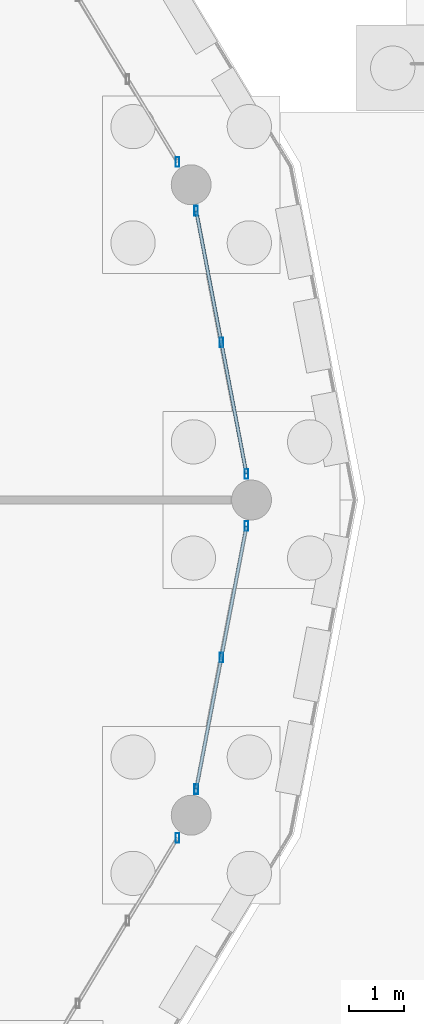
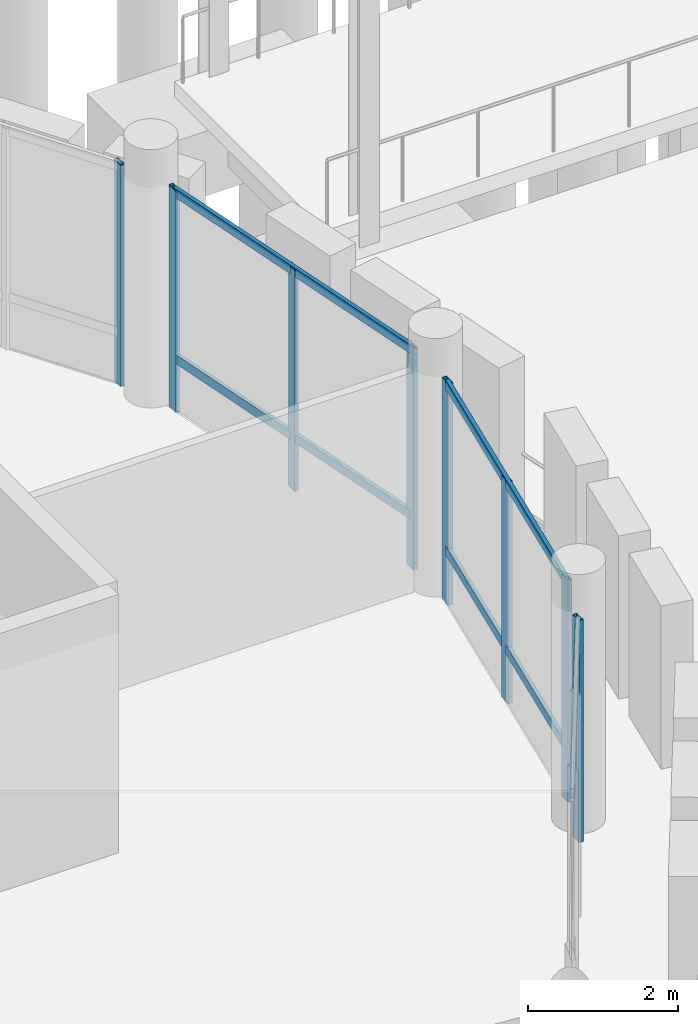
# One storey, part 49 of 98: 12 members, 4 elements without a shape of their own.
"""IFC4 building model written with IfcOpenShell, lengths in metres."""

from ifc_helpers import new_model, si_unit, direction, frame, origin, origin_2d, place, context, subcontext, project, spatial, hollow_rectangle, extrude, material, material_profile, profile_set, type_object, element, aggregate, save


model = new_model("IFC4")

# Units and contexts
model_context = context("Model", 3, precision=1e-05, world=origin(), true_north=direction((0.0, 1.0)))
body_context = subcontext(model_context, "Body", "Model", "MODEL_VIEW")
ifc_project = project(units=[si_unit("LENGTHUNIT", "METRE"), si_unit("AREAUNIT", "SQUARE_METRE"), si_unit("VOLUMEUNIT", "CUBIC_METRE"), si_unit("PLANEANGLEUNIT", "RADIAN"), si_unit("MASSUNIT", "GRAM", prefix="KILO")], contexts=[model_context])

# Site, building, storey
site_placement = place(None, origin())
site = spatial("IfcSite", under=ifc_project, at=site_placement, CompositionType="ELEMENT")
building_placement = place(site_placement, origin())
building = spatial("IfcBuilding", under=site, at=building_placement, Name="Zornivar Specialist Clinic", CompositionType="ELEMENT")
storey_placement = place(building_placement, origin())
storey = spatial("IfcBuildingStorey", under=building, at=storey_placement, Name="L00", CompositionType="ELEMENT", Elevation=0.0)

# Curtain wall, members
ifc_material_1 = material(Name="Aluminium and Low-E Glass Curtain Wall", Category="aluminium")
curtain_wall_type = type_object("IfcCurtainWallType", Name="CW-DRUM-FACET", PredefinedType="NOTDEFINED", material=ifc_material_1)
curtain_wall_1_placement = place(storey_placement, origin())
curtain_wall_1 = element("IfcCurtainWall", 1, at=curtain_wall_1_placement, inside=storey, type_object=curtain_wall_type, Name="cw:V1:L00:c00", PredefinedType="NOTDEFINED")
ifc_material_2 = material(Name="Aluminium AW-6060", Category="aluminium")
ifc_material_profile_1 = material_profile(ifc_material_2, hollow_rectangle(XDim=0.06494140625, YDim=0.175048828125, WallThickness=0.00439453125, at=origin_2d()), Name="ALU 65x175x4.5")
ifc_profile_set_1 = profile_set([ifc_material_profile_1], Name="Aluminium AW-6060")
member_type_1 = type_object("IfcMemberType", Name="CWM-MUL-175", PredefinedType="MULLION", material=ifc_profile_set_1)
member_1_placement = place(storey_placement, frame((125.509033203125, 58.071044921875, 0.0), z_axis=(0.0, 0.0, 1.0), x_axis=(1.0, 0.0, 0.0)))
member_1 = element("IfcMember", 2, at=member_1_placement, type_object=member_type_1, Name="cw:V1:L00:c00:mul:0", PredefinedType="MULLION", context=body_context, shape_type="SweptSolid", body=[
    extrude(hollow_rectangle(XDim=0.06494140625, YDim=0.175048828125, WallThickness=0.00439453125, at=origin_2d()), origin(), (0.0, 0.0, 1.0), 3.610107421875),
])
member_2_placement = place(storey_placement, frame((125.054931640625, 60.447021484375, 0.0), z_axis=(0.0, 0.0, 1.0), x_axis=(1.0, 0.0, 0.0)))
member_2 = element("IfcMember", 3, at=member_2_placement, type_object=member_type_1, Name="cw:V1:L00:c00:mul:1", PredefinedType="MULLION", context=body_context, shape_type="SweptSolid", body=[
    extrude(hollow_rectangle(XDim=0.06494140625, YDim=0.175048828125, WallThickness=0.00439453125, at=origin_2d()), origin(), (0.0, 0.0, 1.0), 3.610107421875),
])
member_3_placement = place(storey_placement, frame((124.60009765625, 62.822998046875, 0.0), z_axis=(0.0, 0.0, 1.0), x_axis=(1.0, 0.0, 0.0)))
member_3 = element("IfcMember", 4, at=member_3_placement, type_object=member_type_1, Name="cw:V1:L00:c00:mul:2", PredefinedType="MULLION", context=body_context, shape_type="SweptSolid", body=[
    extrude(hollow_rectangle(XDim=0.06494140625, YDim=0.175048828125, WallThickness=0.00439453125, at=origin_2d()), origin(), (0.0, 0.0, 1.0), 3.610107421875),
])

# Curtain wall, member
curtain_wall_2_placement = place(storey_placement, origin())
curtain_wall_2 = element("IfcCurtainWall", 5, at=curtain_wall_2_placement, inside=storey, type_object=curtain_wall_type, Name="cw:V1:L00:c01", PredefinedType="NOTDEFINED")
member_4_placement = place(storey_placement, frame((124.261962890625, 63.705078125, 0.0), z_axis=(0.0, 0.0, 1.0), x_axis=(1.0, 0.0, 0.0)))
member_4 = element("IfcMember", 6, at=member_4_placement, type_object=member_type_1, Name="cw:V1:L00:c01:mul:0", PredefinedType="MULLION", context=body_context, shape_type="SweptSolid", body=[
    extrude(hollow_rectangle(XDim=0.06494140625, YDim=0.175048828125, WallThickness=0.00439453125, at=origin_2d()), origin(), (0.0, 0.0, 1.0), 3.610107421875),
])
aggregate(curtain_wall_2, [member_4])

curtain_wall_3_placement = place(storey_placement, origin())
curtain_wall_3 = element("IfcCurtainWall", 7, at=curtain_wall_3_placement, inside=storey, type_object=curtain_wall_type, Name="cw:V1:L00:c22", PredefinedType="NOTDEFINED")
member_5_placement = place(storey_placement, frame((124.261962890625, 51.4951171875, 0.0), z_axis=(0.0, 0.0, 1.0), x_axis=(1.0, 0.0, 0.0)))
member_5 = element("IfcMember", 8, at=member_5_placement, type_object=member_type_1, Name="cw:V1:L00:c22:mul:3", PredefinedType="MULLION", context=body_context, shape_type="SweptSolid", body=[
    extrude(hollow_rectangle(XDim=0.06494140625, YDim=0.175048828125, WallThickness=0.00439453125, at=origin_2d()), origin(), (0.0, 0.0, 1.0), 3.610107421875),
])
aggregate(curtain_wall_3, [member_5])

# Curtain wall, members
curtain_wall_4_placement = place(storey_placement, origin())
curtain_wall_4 = element("IfcCurtainWall", 9, at=curtain_wall_4_placement, inside=storey, type_object=curtain_wall_type, Name="cw:V1:L00:c23", PredefinedType="NOTDEFINED")
member_6_placement = place(storey_placement, frame((124.60107421875, 52.376953125, 0.0), z_axis=(0.0, 0.0, 1.0), x_axis=(1.0, 0.0, 0.0)))
member_6 = element("IfcMember", 10, at=member_6_placement, type_object=member_type_1, Name="cw:V1:L00:c23:mul:0", PredefinedType="MULLION", context=body_context, shape_type="SweptSolid", body=[
    extrude(hollow_rectangle(XDim=0.06494140625, YDim=0.175048828125, WallThickness=0.00439453125, at=origin_2d()), origin(), (0.0, 0.0, 1.0), 3.610107421875),
])
member_7_placement = place(storey_placement, frame((125.054931640625, 54.7529296875, 0.0), z_axis=(0.0, 0.0, 1.0), x_axis=(1.0, 0.0, 0.0)))
member_7 = element("IfcMember", 11, at=member_7_placement, type_object=member_type_1, Name="cw:V1:L00:c23:mul:1", PredefinedType="MULLION", context=body_context, shape_type="SweptSolid", body=[
    extrude(hollow_rectangle(XDim=0.06494140625, YDim=0.175048828125, WallThickness=0.00439453125, at=origin_2d()), origin(), (0.0, 0.0, 1.0), 3.610107421875),
])
member_8_placement = place(storey_placement, frame((125.510009765625, 57.12890625, 0.0), z_axis=(0.0, 0.0, 1.0), x_axis=(1.0, 0.0, 0.0)))
member_8 = element("IfcMember", 12, at=member_8_placement, type_object=member_type_1, Name="cw:V1:L00:c23:mul:2", PredefinedType="MULLION", context=body_context, shape_type="SweptSolid", body=[
    extrude(hollow_rectangle(XDim=0.06494140625, YDim=0.175048828125, WallThickness=0.00439453125, at=origin_2d()), origin(), (0.0, 0.0, 1.0), 3.610107421875),
])

# Member
ifc_material_3 = material(Name="Aluminium AW-6060", Category="aluminium")
ifc_material_profile_2 = material_profile(ifc_material_3, hollow_rectangle(XDim=0.06005859375, YDim=0.14501953125, WallThickness=0.00390625, at=origin_2d()), Name="ALU 60x145x4")
ifc_profile_set_2 = profile_set([ifc_material_profile_2], Name="Aluminium AW-6060")
member_type_2 = type_object("IfcMemberType", Name="CWM-TRN-145", PredefinedType="USERDEFINED", material=ifc_profile_set_2)
member_9_placement = place(storey_placement, frame((125.509033203125, 58.071044921875, 0.85009765625), z_axis=(-0.18767557324, 0.982231072207, 0.0), x_axis=(-0.982231072207, -0.18767557324, 0.0)))
member_9 = element("IfcMember", 13, at=member_9_placement, type_object=member_type_2, Name="cw:V1:L00:c00:trn:0", ObjectType="TRANSOM", PredefinedType="USERDEFINED", context=body_context, shape_type="SweptSolid", body=[
    extrude(hollow_rectangle(XDim=0.06005859375, YDim=0.14501953125, WallThickness=0.00390625, at=origin_2d()), origin(), (0.0, 0.0, 1.0), 4.837890625),
])

member_10_placement = place(storey_placement, frame((125.509033203125, 58.071044921875, 3.544921875), z_axis=(-0.18767557324, 0.982231072207, 0.0), x_axis=(-0.982231072207, -0.18767557324, 0.0)))
member_10 = element("IfcMember", 14, at=member_10_placement, type_object=member_type_2, Name="cw:V1:L00:c00:trn:1", ObjectType="TRANSOM", PredefinedType="USERDEFINED", context=body_context, shape_type="SweptSolid", body=[
    extrude(hollow_rectangle(XDim=0.06005859375, YDim=0.14501953125, WallThickness=0.00390625, at=origin_2d()), origin(), (0.0, 0.0, 1.0), 4.837890625),
])

aggregate(curtain_wall_1, [member_1, member_2, member_3, member_9, member_10])

member_11_placement = place(storey_placement, frame((124.60107421875, 52.376953125, 0.85009765625), z_axis=(0.18767557324, 0.982231072207, 0.0), x_axis=(-0.982231072207, 0.18767557324, 0.0)))
member_11 = element("IfcMember", 15, at=member_11_placement, type_object=member_type_2, Name="cw:V1:L00:c23:trn:0", ObjectType="TRANSOM", PredefinedType="USERDEFINED", context=body_context, shape_type="SweptSolid", body=[
    extrude(hollow_rectangle(XDim=0.06005859375, YDim=0.14501953125, WallThickness=0.00390625, at=origin_2d()), origin(), (0.0, 0.0, 1.0), 4.837890625),
])

member_12_placement = place(storey_placement, frame((124.60107421875, 52.376953125, 3.544921875), z_axis=(0.18767557324, 0.982231072207, 0.0), x_axis=(-0.982231072207, 0.18767557324, 0.0)))
member_12 = element("IfcMember", 16, at=member_12_placement, type_object=member_type_2, Name="cw:V1:L00:c23:trn:1", ObjectType="TRANSOM", PredefinedType="USERDEFINED", context=body_context, shape_type="SweptSolid", body=[
    extrude(hollow_rectangle(XDim=0.06005859375, YDim=0.14501953125, WallThickness=0.00390625, at=origin_2d()), origin(), (0.0, 0.0, 1.0), 4.837890625),
])

aggregate(curtain_wall_4, [member_6, member_7, member_8, member_11, member_12])

save(model, "model.ifc")
